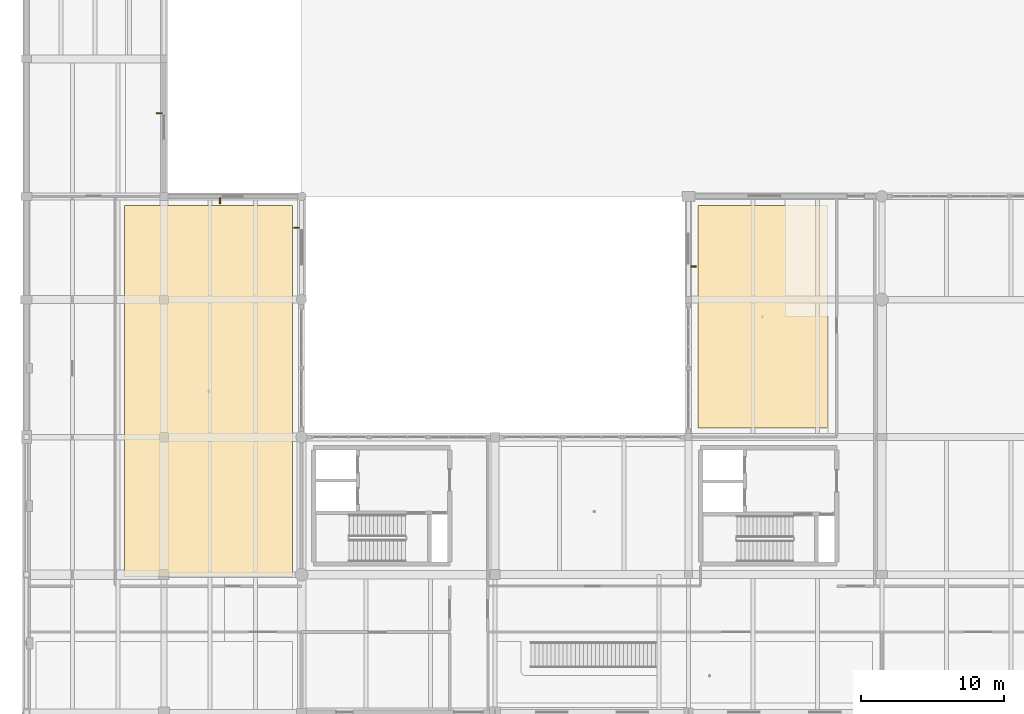
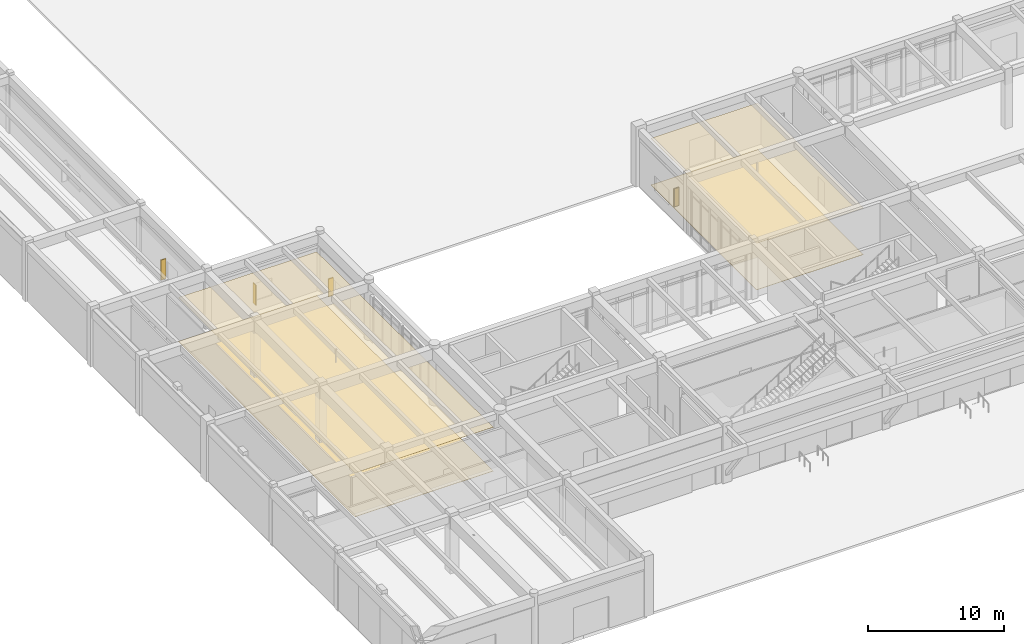
# One storey, part 127 of 138: 4 coverings, 4 shading devices.
"""IFC4 building model written with IfcOpenShell, lengths in metres."""

from ifc_helpers import new_model, si_unit, direction, frame, origin, origin_2d, place, context, subcontext, project, spatial, polyline, rectangle, outline, extrude, material, layer, layer_set, type_object, element, save


model = new_model("IFC4")

# Units and contexts
model_context = context("Model", 3, precision=1e-05, world=origin(), true_north=direction((0.0, 1.0)))
body_context = subcontext(model_context, "Body", "Model", "MODEL_VIEW")
ifc_project = project(units=[si_unit("LENGTHUNIT", "METRE"), si_unit("AREAUNIT", "SQUARE_METRE"), si_unit("VOLUMEUNIT", "CUBIC_METRE"), si_unit("PLANEANGLEUNIT", "RADIAN"), si_unit("MASSUNIT", "GRAM", prefix="KILO")], contexts=[model_context])

# Site, building, storey
site_placement = place(None, origin())
site = spatial("IfcSite", under=ifc_project, at=site_placement, CompositionType="ELEMENT")
building_placement = place(site_placement, origin())
building = spatial("IfcBuilding", under=site, at=building_placement, Name="Fikremerkos Civic Library", CompositionType="ELEMENT")
storey_placement = place(building_placement, origin())
storey = spatial("IfcBuildingStorey", under=building, at=storey_placement, Name="L00", CompositionType="ELEMENT", Elevation=0.0)

# Coverings
ifc_material_1 = material(Name="Perforated acoustic cedar timber", Category="wood")
ifc_layer_1 = layer(ifc_material_1, 0.02490234375, Name="Perforated acoustic cedar timber")
ifc_layer_set_1 = layer_set([ifc_layer_1], Name="Perforated acoustic cedar timber")
covering_type_1 = type_object("IfcCoveringType", Name="Acoustic perforated timber ceiling CLG-01", PredefinedType="CEILING", material=ifc_layer_set_1)
covering_1_placement = place(storey_placement, frame((0.0, 0.0, 4.179931640625)))
element("IfcCovering", 1, at=covering_1_placement, inside=storey, type_object=covering_type_1, Name="Acoustic ceiling Courtyard Cafe", PredefinedType="CEILING", context=body_context, shape_type="SweptSolid", body=[
    extrude(outline(polyline([(46.85009765625, 47.35009765625), (55.89990234375, 47.35009765625), (55.89990234375, 31.85009765625), (46.85009765625, 31.85009765625), (46.85009765625, 47.35009765625)])), origin(), (0.0, 0.0, 1.0), 0.025146484375),
])
covering_2_placement = place(storey_placement, frame((0.0, 0.0, 3.929931640625)))
element("IfcCovering", 2, at=covering_2_placement, inside=storey, type_object=covering_type_1, Name="Acoustic ceiling Community Reading and Literacy Hall", PredefinedType="CEILING", context=body_context, shape_type="SweptSolid", body=[
    extrude(outline(polyline([(6.85009765625, 47.35009765625), (18.550048828125, 47.35009765625), (18.550048828125, 21.449951171875), (6.85009765625, 21.449951171875), (6.85009765625, 47.35009765625)])), origin(), (0.0, 0.0, 1.0), 0.025146484375),
])

# Shading devices
ifc_material_2 = material(Name="Bronze anodized aluminium", Category="aluminium")
shading_device_type = type_object("IfcShadingDeviceType", Name="Perforated bronze vertical solar fin SHD-02", PredefinedType="USERDEFINED", material=ifc_material_2)
for number, where, z_axis, x_axis, name in (
    (3, (9.27490234375, 53.79248046875, 0.8251953125), (0.0, 0.0, 1.0), (0.0, 1.0, 0.0), "Vertical bronze solar fin SHD-02 L00 #5"),
    (4, (13.507568359375, 47.68994140625, 0.8251953125), (0.0, 0.0, 1.0), (1.0, 0.0, 0.0), "Vertical bronze solar fin SHD-02 L00 #6"),
):
    element("IfcShadingDevice", number, at=place(storey_placement, frame(where, z_axis=z_axis, x_axis=x_axis)), inside=storey, type_object=shading_device_type, Name=name, ObjectType="SOLAR FIN", PredefinedType="USERDEFINED", context=body_context, shape_type="SweptSolid", body=[
        extrude(rectangle(XDim=0.080078125, YDim=0.39990234375, at=origin_2d()), origin(), (0.0, 0.0, 1.0), 1.800048828125),
    ])
for number, where, z_axis, x_axis, name in (
    (5, (18.840087890625, 45.804931640625, 0.824951171875), (0.0, 0.0, 1.0), (0.0, 1.0, 0.0), "Vertical bronze solar fin SHD-02 L00 #7"),
    (6, (46.56005859375, 43.107421875, 0.824951171875), (0.0, 0.0, 1.0), (0.0, 1.0, 0.0), "Vertical bronze solar fin SHD-02 L00 #8"),
):
    element("IfcShadingDevice", number, at=place(storey_placement, frame(where, z_axis=z_axis, x_axis=x_axis)), inside=storey, type_object=shading_device_type, Name=name, ObjectType="SOLAR FIN", PredefinedType="USERDEFINED", context=body_context, shape_type="SweptSolid", body=[
        extrude(rectangle(XDim=0.080078125, YDim=0.39990234375, at=origin_2d()), origin(), (0.0, 0.0, 1.0), 1.60009765625),
    ])

# Coverings
ifc_material_3 = material(Name="Polished basalt terrazzo", Category="masonry")
ifc_layer_2 = layer(ifc_material_3, 0.030029296875, Name="Polished basalt terrazzo")
ifc_layer_set_2 = layer_set([ifc_layer_2], Name="Polished basalt terrazzo")
covering_type_2 = type_object("IfcCoveringType", Name="Polished basalt terrazzo flooring FLR-01", PredefinedType="FLOORING", material=ifc_layer_set_2)
covering_3_placement = place(storey_placement, origin())
element("IfcCovering", 7, at=covering_3_placement, inside=storey, type_object=covering_type_2, Name="Terrazzo floor finish Courtyard Cafe", PredefinedType="FLOORING", context=body_context, shape_type="SweptSolid", body=[
    extrude(outline(polyline([(46.85009765625, 47.35009765625), (55.89990234375, 47.35009765625), (55.89990234375, 31.85009765625), (46.85009765625, 31.85009765625), (46.85009765625, 47.35009765625)])), origin(), (0.0, 0.0, 1.0), 0.030029296875),
])
covering_4_placement = place(storey_placement, origin())
element("IfcCovering", 8, at=covering_4_placement, inside=storey, type_object=covering_type_2, Name="Terrazzo floor finish Community Reading and Literacy Hall", PredefinedType="FLOORING", context=body_context, shape_type="SweptSolid", body=[
    extrude(outline(polyline([(6.85009765625, 47.35009765625), (18.550048828125, 47.35009765625), (18.550048828125, 21.449951171875), (6.85009765625, 21.449951171875), (6.85009765625, 47.35009765625)])), origin(), (0.0, 0.0, 1.0), 0.030029296875),
])

save(model, "model.ifc")
